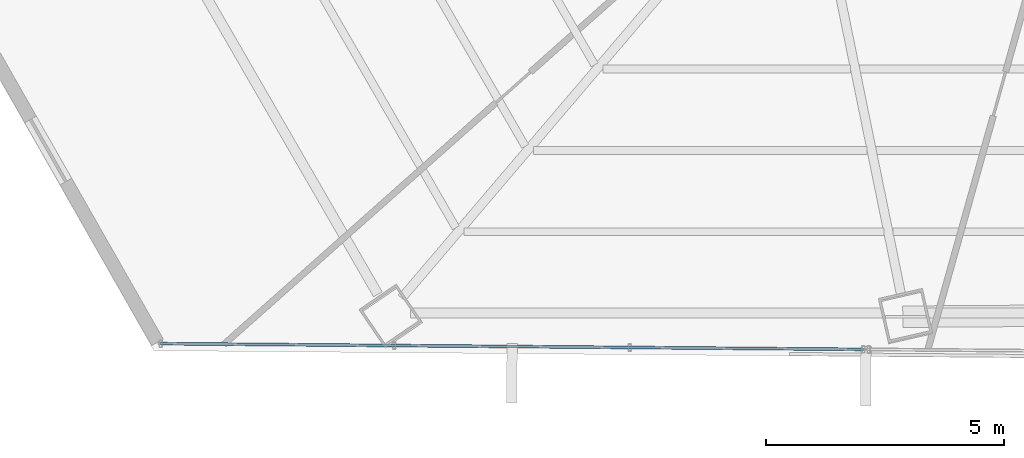
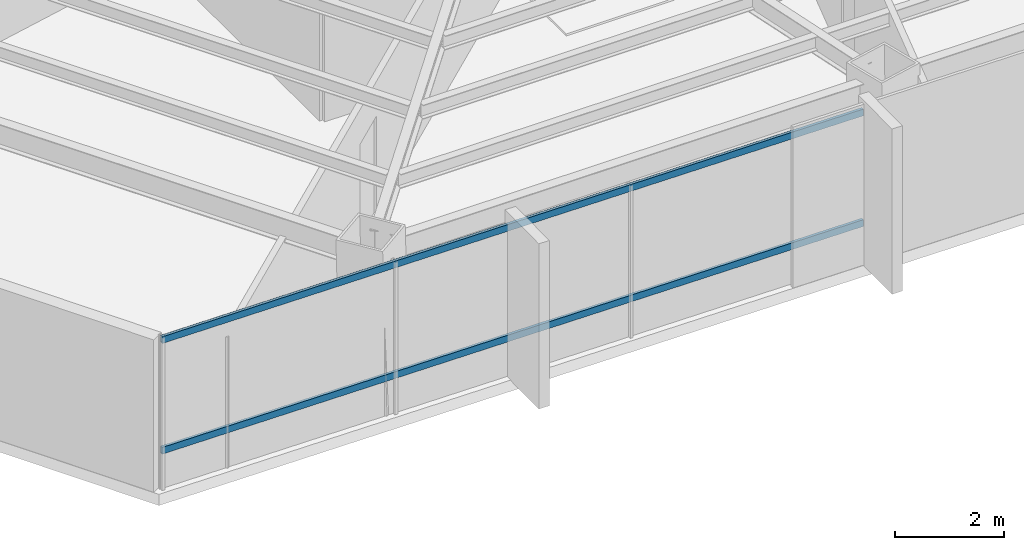
# One storey, part 3 of 39: 2 members, 1 element without a shape of its own.
"""IFC4 building model written with IfcOpenShell, lengths in metres."""

from ifc_helpers import new_model, si_unit, direction, frame, origin, origin_2d, place, context, subcontext, project, spatial, hollow_rectangle, extrude, source, transform, mapped, material, material_profile, profile_set, type_object, type_shapes, element, aggregate, save


model = new_model("IFC4")

# Units and contexts
model_context = context("Model", 3, precision=1e-05, world=origin(), true_north=direction((0.0, 1.0)))
body_context = subcontext(model_context, "Body", "Model", "MODEL_VIEW")
ifc_project = project(units=[si_unit("LENGTHUNIT", "METRE"), si_unit("AREAUNIT", "SQUARE_METRE"), si_unit("VOLUMEUNIT", "CUBIC_METRE"), si_unit("PLANEANGLEUNIT", "RADIAN"), si_unit("MASSUNIT", "GRAM", prefix="KILO")], contexts=[model_context])

# Site, building, storey
site_placement = place(None, origin())
site = spatial("IfcSite", under=ifc_project, at=site_placement, CompositionType="ELEMENT")
building_placement = place(site_placement, origin())
building = spatial("IfcBuilding", under=site, at=building_placement, Name="Caelisora Broadcast Tower", CompositionType="ELEMENT")
storey_placement = place(building_placement, frame((0.0, 0.0, 142.75)))
storey = spatial("IfcBuildingStorey", under=building, at=storey_placement, Name="L37", CompositionType="ELEMENT", Elevation=142.75)

# Curtain wall, members
ifc_material_1 = material(Name="Unitised Aluminium and Low-E Glass Curtain Wall", Category="glass")
curtain_wall_type = type_object("IfcCurtainWallType", Name="CW-Z3", PredefinedType="NOTDEFINED", material=ifc_material_1)
curtain_wall_placement = place(storey_placement, origin())
curtain_wall = element("IfcCurtainWall", 1, at=curtain_wall_placement, inside=storey, type_object=curtain_wall_type, Name="L37 curtain wall CW-Z3", PredefinedType="NOTDEFINED")
ifc_material_2 = material(Name="Aluminium 6063-T6 Anodised Terracotta Bronze", Category="aluminium")
ifc_material_profile = material_profile(ifc_material_2, hollow_rectangle(XDim=0.06005859375, YDim=0.14990234375, WallThickness=0.00341796875, at=origin_2d()), Name="Aluminium 6063-T6 Anodised Terracotta Bronze")
ifc_profile_set = profile_set([ifc_material_profile], Name="Aluminium 6063-T6 Anodised Terracotta Bronze")
member_type = type_object("IfcMemberType", Name="CWT-02", PredefinedType="USERDEFINED", material=ifc_profile_set)
shared_shape = source(origin(), body_context, "Body", "SweptSolid", [
    extrude(hollow_rectangle(XDim=0.06005859375, YDim=0.14990234375, WallThickness=0.00341796875, at=origin_2d()), origin(), (0.0, 0.0, 1.0), 14.737548828125),
])
type_shapes(member_type, [shared_shape])
member_1_placement = place(storey_placement, frame((31.719970703125, 6.394775390625, 0.85009765625), z_axis=(-0.999966378517, 0.008200111945, 0.0), x_axis=(-0.008200111945, -0.999966378517, 0.0)))
member_1 = element("IfcMember", 2, at=member_1_placement, type_object=member_type, Name="L37-CW-B07 transom #1", ObjectType="TRANSOM", PredefinedType="USERDEFINED", context=body_context, shape_type="MappedRepresentation", body=[
    mapped(shared_shape, transform((0.0, 0.0, 0.0), scale=1.0)),
])
member_2_placement = place(storey_placement, frame((31.719970703125, 6.394775390625, 3.320068359375), z_axis=(-0.999966378517, 0.008200111945, 0.0), x_axis=(-0.008200111945, -0.999966378517, 0.0)))
member_2 = element("IfcMember", 3, at=member_2_placement, type_object=member_type, Name="L37-CW-B07 transom #2", ObjectType="TRANSOM", PredefinedType="USERDEFINED", context=body_context, shape_type="MappedRepresentation", body=[
    mapped(shared_shape, transform((0.0, 0.0, 0.0), scale=1.0)),
])
aggregate(curtain_wall, [member_1, member_2])

save(model, "model.ifc")
